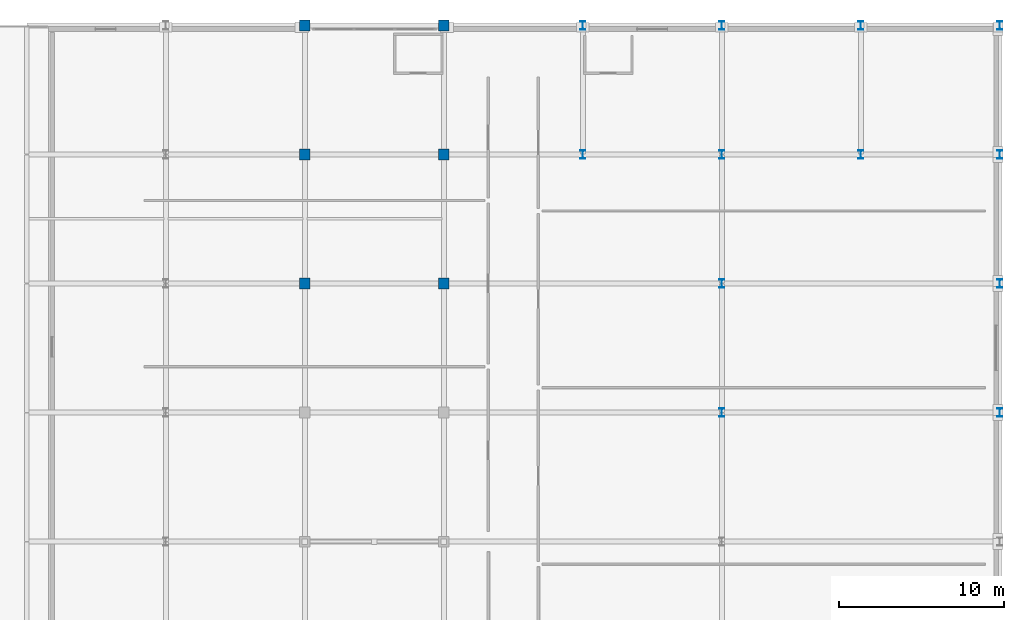
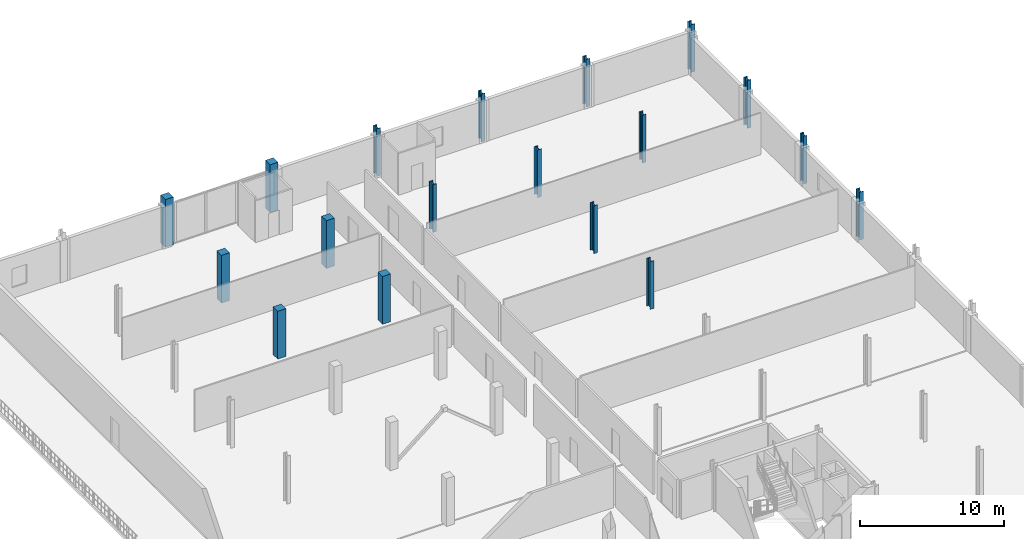
# One storey, part 7 of 41: 18 columns.
"""IFC4 building model written with IfcOpenShell, lengths in metres."""

from ifc_helpers import new_model, si_unit, direction, frame, origin, origin_2d, place, context, subcontext, project, spatial, rectangle, i_section, extrude, material, material_profile, profile_set, type_object, element, save


model = new_model("IFC4")

# Units and contexts
model_context = context("Model", 3, precision=1e-05, world=origin(), true_north=direction((0.0, 1.0)))
body_context = subcontext(model_context, "Body", "Model", "MODEL_VIEW")
ifc_project = project(units=[si_unit("LENGTHUNIT", "METRE"), si_unit("AREAUNIT", "SQUARE_METRE"), si_unit("VOLUMEUNIT", "CUBIC_METRE"), si_unit("PLANEANGLEUNIT", "RADIAN"), si_unit("MASSUNIT", "GRAM", prefix="KILO")], contexts=[model_context])

# Site, building, storey
site_placement = place(None, origin())
site = spatial("IfcSite", under=ifc_project, at=site_placement, CompositionType="ELEMENT")
building_placement = place(site_placement, origin())
building = spatial("IfcBuilding", under=site, at=building_placement, Name="Nabrawat Pavilion Hospital", CompositionType="ELEMENT")
storey_placement = place(building_placement, frame((0.0, 0.0, 18.89990234375)))
storey = spatial("IfcBuildingStorey", under=building, at=storey_placement, Name="L04", CompositionType="ELEMENT", Elevation=18.89990234375)

# Columns
ifc_material_1 = material(Name="Steel S355", Category="steel")
ifc_material_profile_1 = material_profile(ifc_material_1, i_section(OverallWidth=0.300048828125, OverallDepth=0.5, WebThickness=0.014404296875, FlangeThickness=0.028076171875, FilletRadius=0.027099609375, at=origin_2d()), Name="HEB 500")
ifc_profile_set_1 = profile_set([ifc_material_profile_1], Name="Steel S355")
column_type_1 = type_object("IfcColumnType", Name="Composite Steel Column HEB 500", PredefinedType="COLUMN", material=ifc_profile_set_1)
for number, where, z_axis, x_axis, name in (
    (1, (168.0, 117.0, 0.0), (0.0, 0.0, 1.0), (1.0, 0.0, 0.0), "L04 Structural Column G-21-R"),
    (2, (168.0, 124.800048828125, 0.0), (0.0, 0.0, 1.0), (1.0, 0.0, 0.0), "L04 Structural Column G-21-S"),
    (3, (176.39990234375, 101.39990234375, 0.0), (0.0, 0.0, 1.0), (1.0, 0.0, 0.0), "L04 Structural Column G-22-P"),
    (4, (176.39990234375, 109.199951171875, 0.0), (0.0, 0.0, 1.0), (1.0, 0.0, 0.0), "L04 Structural Column G-22-Q"),
    (5, (176.39990234375, 117.0, 0.0), (0.0, 0.0, 1.0), (1.0, 0.0, 0.0), "L04 Structural Column G-22-R"),
    (6, (176.39990234375, 124.800048828125, 0.0), (0.0, 0.0, 1.0), (1.0, 0.0, 0.0), "L04 Structural Column G-22-S"),
    (7, (184.800048828125, 117.0, 0.0), (0.0, 0.0, 1.0), (1.0, 0.0, 0.0), "L04 Structural Column G-23-R"),
    (8, (184.800048828125, 124.800048828125, 0.0), (0.0, 0.0, 1.0), (1.0, 0.0, 0.0), "L04 Structural Column G-23-S"),
    (9, (193.199951171875, 101.39990234375, 0.0), (0.0, 0.0, 1.0), (1.0, 0.0, 0.0), "L04 Structural Column G-24-P"),
    (10, (193.199951171875, 109.199951171875, 0.0), (0.0, 0.0, 1.0), (1.0, 0.0, 0.0), "L04 Structural Column G-24-Q"),
    (11, (193.199951171875, 117.0, 0.0), (0.0, 0.0, 1.0), (1.0, 0.0, 0.0), "L04 Structural Column G-24-R"),
    (12, (193.199951171875, 124.800048828125, 0.0), (0.0, 0.0, 1.0), (1.0, 0.0, 0.0), "L04 Structural Column G-24-S"),
):
    element("IfcColumn", number, at=place(storey_placement, frame(where, z_axis=z_axis, x_axis=x_axis)), inside=storey, type_object=column_type_1, Name=name, PredefinedType="COLUMN", context=body_context, shape_type="SweptSolid", body=[
        extrude(i_section(OverallWidth=0.300048828125, OverallDepth=0.5, WebThickness=0.014404296875, FlangeThickness=0.028076171875, FilletRadius=0.027099609375, at=origin_2d()), origin(), (0.0, 0.0, 1.0), 4.050048828125),
    ])
ifc_material_2 = material(Name="Concrete C40/50", Category="concrete")
ifc_material_profile_2 = material_profile(ifc_material_2, rectangle(XDim=0.64990234375, YDim=0.64990234375, at=origin_2d()), Name="RC 650x650")
ifc_profile_set_2 = profile_set([ifc_material_profile_2], Name="Concrete C40/50")
column_type_2 = type_object("IfcColumnType", Name="Outpatient RC Column 650x650", PredefinedType="COLUMN", material=ifc_profile_set_2)
for number, where, z_axis, x_axis, name in (
    (13, (151.199951171875, 109.199951171875, 0.0), (0.0, 0.0, 1.0), (1.0, 0.0, 0.0), "L04 Structural Column G-19-Q"),
    (14, (151.199951171875, 117.0, 0.0), (0.0, 0.0, 1.0), (1.0, 0.0, 0.0), "L04 Structural Column G-19-R"),
    (15, (151.199951171875, 124.800048828125, 0.0), (0.0, 0.0, 1.0), (1.0, 0.0, 0.0), "L04 Structural Column G-19-S"),
    (16, (159.60009765625, 109.199951171875, 0.0), (0.0, 0.0, 1.0), (1.0, 0.0, 0.0), "L04 Structural Column G-20-Q"),
    (17, (159.60009765625, 117.0, 0.0), (0.0, 0.0, 1.0), (1.0, 0.0, 0.0), "L04 Structural Column G-20-R"),
    (18, (159.60009765625, 124.800048828125, 0.0), (0.0, 0.0, 1.0), (1.0, 0.0, 0.0), "L04 Structural Column G-20-S"),
):
    element("IfcColumn", number, at=place(storey_placement, frame(where, z_axis=z_axis, x_axis=x_axis)), inside=storey, type_object=column_type_2, Name=name, PredefinedType="COLUMN", context=body_context, shape_type="SweptSolid", body=[
        extrude(rectangle(XDim=0.64990234375, YDim=0.64990234375, at=origin_2d()), origin(), (0.0, 0.0, 1.0), 4.050048828125),
    ])

save(model, "model.ifc")
